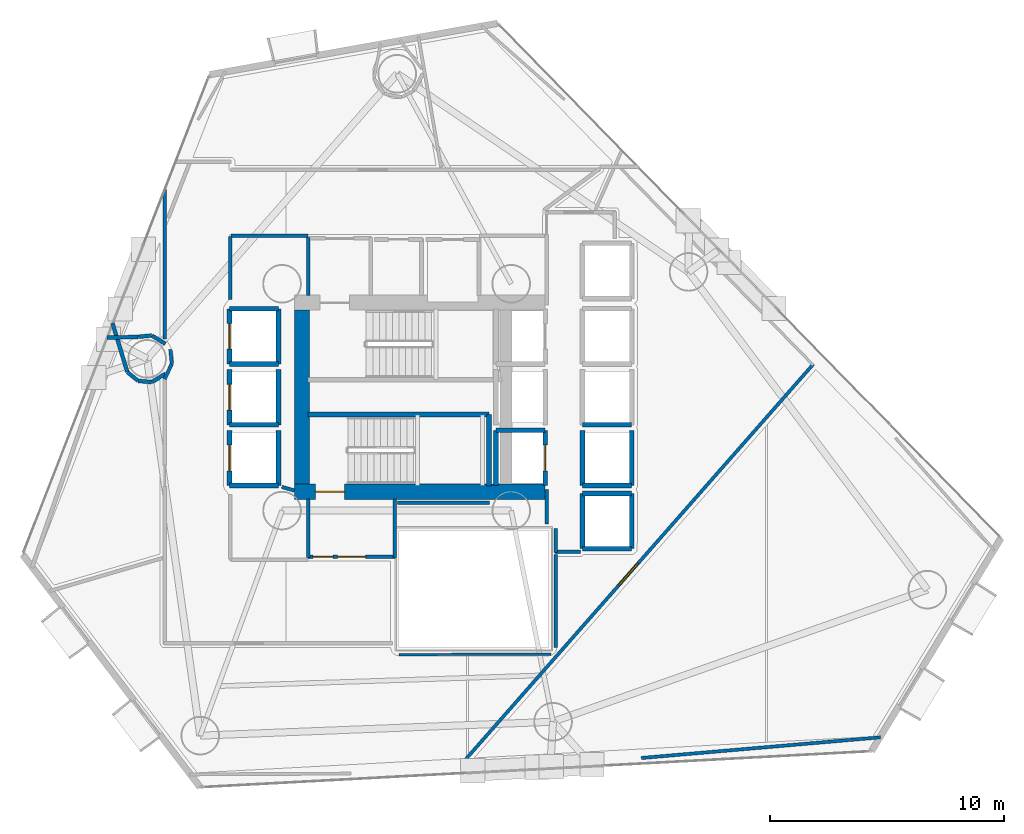
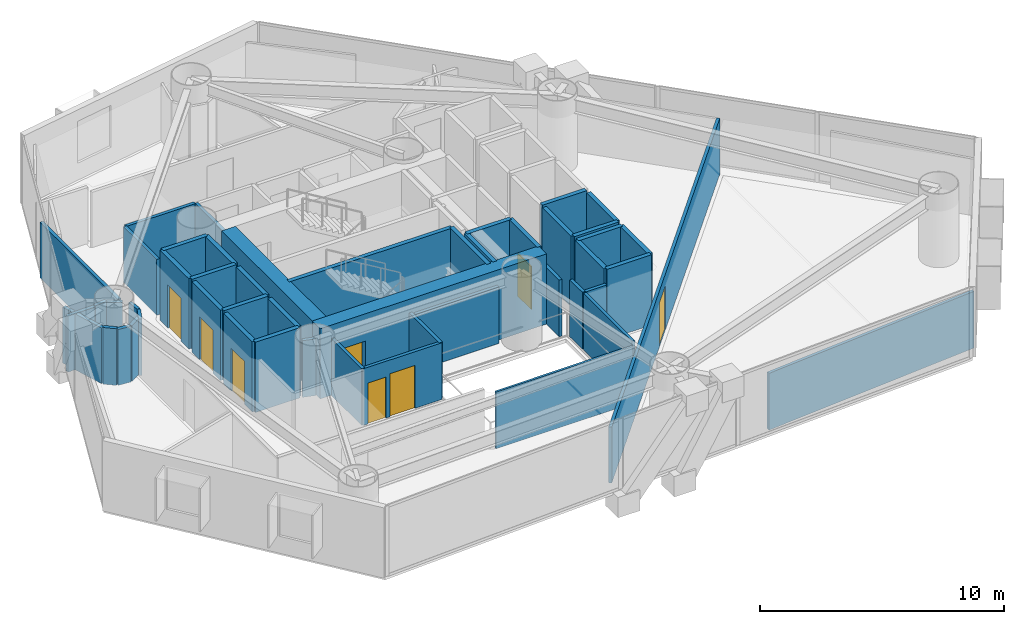
# One storey, part 16 of 23: 50 walls, 8 doors, 8 openings.
"""IFC4 building model written with IfcOpenShell, lengths in metres."""

from ifc_helpers import new_model, si_unit, direction, frame, frame_2d, origin, place, context, subcontext, project, spatial, rectangle, extrude, material, layer, layer_set, type_object, element, fill, save


model = new_model("IFC4")

# Units and contexts
model_context = context("Model", 3, precision=1e-05, world=origin(), true_north=direction((0.0, 1.0)))
body_context = subcontext(model_context, "Body", "Model", "MODEL_VIEW")
ifc_project = project(units=[si_unit("LENGTHUNIT", "METRE"), si_unit("AREAUNIT", "SQUARE_METRE"), si_unit("VOLUMEUNIT", "CUBIC_METRE"), si_unit("PLANEANGLEUNIT", "RADIAN"), si_unit("MASSUNIT", "GRAM", prefix="KILO")], contexts=[model_context])

# Site, building, storey
site_placement = place(None, origin())
site = spatial("IfcSite", under=ifc_project, at=site_placement, CompositionType="ELEMENT")
building_placement = place(site_placement, origin())
building = spatial("IfcBuilding", under=site, at=building_placement, Name="Qianvela Tower", CompositionType="ELEMENT")
storey_placement = place(building_placement, frame((0.0, 0.0, 56.199951171875)))
storey = spatial("IfcBuildingStorey", under=building, at=storey_placement, Name="L13", CompositionType="ELEMENT", Elevation=56.199951171875)

# Wall, opening, door
ifc_material_1 = material(Name="Concrete C60", Category="concrete")
ifc_layer_1 = layer(ifc_material_1, 0.64990234375)
ifc_layer_set_1 = layer_set([ifc_layer_1], Name="Concrete C60")
wall_type_1 = type_object("IfcWallType", Name="WT-CORE-650", PredefinedType="SHEAR", material=ifc_layer_set_1)
wall_1_placement = place(storey_placement, frame((29.1298828125, 24.655029296875, 0.0), z_axis=(0.0, 0.0, 1.0), x_axis=(1.0, 0.0, 0.0)))
wall_1 = element("IfcWall", 1, at=wall_1_placement, inside=storey, type_object=wall_type_1, Name="L13 South Core Shear Wall", PredefinedType="SHEAR", context=body_context, shape_type="SweptSolid", body=[
    extrude(rectangle(XDim=10.72021484375, YDim=0.64990234375, at=frame_2d((5.360107421875, 0.0))), origin(), (0.0, 0.0, 1.0), 3.52001953125),
])
opening_1_placement = place(wall_1_placement, frame((0.89501953125, 0.0, 0.0)))
opening_1 = element("IfcOpeningElement", 2, at=opening_1_placement, cuts=wall_1, Name="Opening D-ST1", PredefinedType="OPENING", context=body_context, shape_type="SweptSolid", body=[
    extrude(rectangle(XDim=1.25, YDim=2.14990234375, at=frame_2d((0.625, 1.074951171875))), frame((0.0, 0.3349609375, 0.0), z_axis=(0.0, -1.0, 0.0), x_axis=(1.0, 0.0, 0.0)), (0.0, 0.0, 1.0), 0.669921875),
])
ifc_material_2 = material(Name="Galvanised Fire Steel Q355B", Category="steel")
door_type_1 = type_object("IfcDoorType", Name="DT-STAIR-FD90", OperationType="NOTDEFINED", PredefinedType="DOOR", material=ifc_material_2)
door_1_placement = place(opening_1_placement, origin())
door_1 = element("IfcDoor", 3, at=door_1_placement, inside=storey, type_object=door_type_1, Name="L13 Stair ST-2 Exit Door", OperationType="SINGLE_SWING_LEFT", OverallHeight=2.14990234375, OverallWidth=1.25, PredefinedType="DOOR", context=body_context, shape_type="SweptSolid", body=[
    extrude(rectangle(XDim=1.25, YDim=2.14990234375, at=frame_2d((0.625, 1.074951171875))), frame((0.0, 0.02490234375, 0.0), z_axis=(0.0, -1.0, 0.0), x_axis=(1.0, 0.0, 0.0)), (0.0, 0.0, 1.0), 0.050048828125),
])
fill(opening_1, door_1)

# Walls
wall_2_placement = place(storey_placement, frame((29.455078125, 24.97998046875, 0.0), z_axis=(0.0, 0.0, 1.0), x_axis=(0.0, 1.0, 0.0)))
element("IfcWall", 4, at=wall_2_placement, inside=storey, type_object=wall_type_1, Name="L13 West Core Shear Wall", PredefinedType="SHEAR", context=body_context, shape_type="SweptSolid", body=[
    extrude(rectangle(XDim=7.43994140625, YDim=0.64990234375, at=frame_2d((3.719970703125, 0.0))), origin(), (0.0, 0.0, 1.0), 3.52001953125),
])
ifc_material_3 = material(Name="Fire-Rated Acoustic Gypsum Board")
ifc_layer_2 = layer(ifc_material_3, 0.14990234375)
ifc_layer_set_2 = layer_set([ifc_layer_2], Name="Fire-Rated Acoustic Gypsum Board")
wall_type_2 = type_object("IfcWallType", Name="WT-CORR-150", PredefinedType="PARTITIONING", material=ifc_layer_set_2)
wall_3_placement = place(storey_placement, frame((29.73095703125, 33.05810546875, 0.0), z_axis=(0.0, 0.0, 1.0), x_axis=(0.0, 1.0, 0.0)))
element("IfcWall", 5, at=wall_3_placement, inside=storey, type_object=wall_type_2, Name="L13 Partition 2", PredefinedType="PARTITIONING", context=body_context, shape_type="SweptSolid", body=[
    extrude(rectangle(XDim=2.4619140625, YDim=0.14990234375, at=frame_2d((1.23095703125, 0.0))), origin(), (0.0, 0.0, 1.0), 2.840087890625),
])

# Wall, openings, doors
wall_4_placement = place(storey_placement, frame((33.449951171875, 21.881103515625, 0.0), z_axis=(0.0, 0.0, 1.0), x_axis=(-1.0, 0.0, 0.0)))
wall_4 = element("IfcWall", 6, at=wall_4_placement, inside=storey, type_object=wall_type_2, Name="L13 Partition 5", PredefinedType="PARTITIONING", context=body_context, shape_type="SweptSolid", body=[
    extrude(rectangle(XDim=3.75, YDim=0.14990234375, at=frame_2d((1.875, 0.0))), origin(), (0.0, 0.0, 1.0), 2.840087890625),
])
opening_2_placement = place(wall_4_placement, frame((1.27490234375, 0.0, 0.0)))
opening_2 = element("IfcOpeningElement", 7, at=opening_2_placement, cuts=wall_4, Name="Opening D-LB1", PredefinedType="OPENING", context=body_context, shape_type="SweptSolid", body=[
    extrude(rectangle(XDim=1.199951171875, YDim=2.14990234375, at=frame_2d((0.60009765625, 1.074951171875))), frame((0.0, 0.0849609375, 0.0), z_axis=(0.0, -1.0, 0.0), x_axis=(1.0, 0.0, 0.0)), (0.0, 0.0, 1.0), 0.169921875),
])
opening_3_placement = place(wall_4_placement, frame((2.659912109375, 0.0, 0.0)))
opening_3 = element("IfcOpeningElement", 8, at=opening_3_placement, cuts=wall_4, Name="Opening D-LB2", PredefinedType="OPENING", context=body_context, shape_type="SweptSolid", body=[
    extrude(rectangle(XDim=0.860107421875, YDim=2.050048828125, at=frame_2d((0.43017578125, 1.02490234375))), frame((0.0, 0.0849609375, 0.0), z_axis=(0.0, -1.0, 0.0), x_axis=(1.0, 0.0, 0.0)), (0.0, 0.0, 1.0), 0.169921875),
])
ifc_material_4 = material(Name="Glazed Fire-Rated Steel Frame", Category="steel")
door_type_2 = type_object("IfcDoorType", Name="DT-LOBBY-FD90", OperationType="NOTDEFINED", PredefinedType="DOOR", material=ifc_material_4)
door_2_placement = place(opening_2_placement, origin())
door_2 = element("IfcDoor", 9, at=door_2_placement, inside=storey, type_object=door_type_2, Name="L13 Door L13 Firefighting Lobby South to L13 Floor Corridor", OperationType="SINGLE_SWING_RIGHT", OverallHeight=2.14990234375, OverallWidth=1.199951171875, PredefinedType="DOOR", context=body_context, shape_type="SweptSolid", body=[
    extrude(rectangle(XDim=1.199951171875, YDim=2.14990234375, at=frame_2d((0.60009765625, 1.074951171875))), frame((0.0, 0.02490234375, 0.0), z_axis=(0.0, -1.0, 0.0), x_axis=(1.0, 0.0, 0.0)), (0.0, 0.0, 1.0), 0.050048828125),
])
fill(opening_2, door_2)
ifc_material_5 = material(Name="Insulated Steel Fire Door Q355B", Category="steel")
door_type_3 = type_object("IfcDoorType", Name="DT-LOBBY-FD90-860", OperationType="NOTDEFINED", PredefinedType="DOOR", material=ifc_material_5)
door_3_placement = place(opening_3_placement, origin())
door_3 = element("IfcDoor", 10, at=door_3_placement, inside=storey, type_object=door_type_3, Name="L13 Door L13 Firefighting Lobby South to L13 Floor Corridor", OperationType="SINGLE_SWING_RIGHT", OverallHeight=2.050048828125, OverallWidth=0.860107421875, PredefinedType="DOOR", context=body_context, shape_type="SweptSolid", body=[
    extrude(rectangle(XDim=0.860107421875, YDim=2.050048828125, at=frame_2d((0.43017578125, 1.02490234375))), frame((0.0, 0.02490234375, 0.0), z_axis=(0.0, -1.0, 0.0), x_axis=(1.0, 0.0, 0.0)), (0.0, 0.0, 1.0), 0.050048828125),
])
fill(opening_3, door_3)

# Walls
for number, where, z_axis, x_axis, name in (
    (11, (29.73095703125, 21.85009765625, 0.0), (0.0, 0.0, 1.0), (0.0, 1.0, 0.0), "L13 Partition 6"),
    (12, (33.4189453125, 24.342041015625, 0.0), (0.0, 0.0, 1.0), (0.0, -1.0, 0.0), "L13 Partition 8"),
):
    element("IfcWall", number, at=place(storey_placement, frame(where, z_axis=z_axis, x_axis=x_axis)), inside=storey, type_object=wall_type_2, Name=name, PredefinedType="PARTITIONING", context=body_context, shape_type="SweptSolid", body=[
        extrude(rectangle(XDim=2.491943359375, YDim=0.14990234375, at=frame_2d((1.24609375, 0.0))), origin(), (0.0, 0.0, 1.0), 2.840087890625),
    ])
wall_5_placement = place(storey_placement, frame((41.360107421875, 22.0810546875, 0.0), z_axis=(0.0, 0.0, 1.0), x_axis=(-1.0, 0.0, 0.0)))
element("IfcWall", 13, at=wall_5_placement, inside=storey, type_object=wall_type_2, Name="L13 Partition 15", PredefinedType="PARTITIONING", context=body_context, shape_type="SweptSolid", body=[
    extrude(rectangle(XDim=1.080078125, YDim=0.14990234375, at=frame_2d((0.5400390625, 0.0))), origin(), (0.0, 0.0, 1.0), 2.840087890625),
])
wall_6_placement = place(storey_placement, frame((40.31103515625, 22.05029296875, 0.0), z_axis=(0.0, 0.0, 1.0), x_axis=(-0.011836292006, 0.999929948642, 0.0)))
element("IfcWall", 14, at=wall_6_placement, inside=storey, type_object=wall_type_2, Name="L13 Partition 16", PredefinedType="PARTITIONING", context=body_context, shape_type="SweptSolid", body=[
    extrude(rectangle(XDim=1.03125, YDim=0.14990234375, at=frame_2d((0.515625, 0.0))), origin(), (0.0, 0.0, 1.0), 2.840087890625),
])
wall_7_placement = place(storey_placement, frame((39.910888671875, 23.27978515625, 0.0), z_axis=(0.0, 0.0, 1.0), x_axis=(0.009397771291, 0.999955839972, 0.0)))
element("IfcWall", 15, at=wall_7_placement, inside=storey, type_object=wall_type_2, Name="L13 Partition 17", PredefinedType="PARTITIONING", context=body_context, shape_type="SweptSolid", body=[
    extrude(rectangle(XDim=1.480712890625, YDim=0.14990234375, at=frame_2d((0.740234375, 0.0))), origin(), (0.0, 0.0, 1.0), 2.840087890625),
])
wall_8_placement = place(storey_placement, frame((29.1298828125, 24.706298828125, 0.0), z_axis=(0.0, 0.0, 1.0), x_axis=(-0.960451214223, 0.278448316742, 0.0)))
element("IfcWall", 16, at=wall_8_placement, inside=storey, type_object=wall_type_2, Name="L13 Partition 31", PredefinedType="PARTITIONING", context=body_context, shape_type="SweptSolid", body=[
    extrude(rectangle(XDim=0.56201171875, YDim=0.14990234375, at=frame_2d((0.281005859375, 0.0))), origin(), (0.0, 0.0, 1.0), 2.840087890625),
])
wall_9_placement = place(storey_placement, frame((37.466552734375, 24.180908203125, 0.0), z_axis=(0.0, 0.0, 1.0), x_axis=(-1.0, 0.0, 0.0)))
element("IfcWall", 17, at=wall_9_placement, inside=storey, type_object=wall_type_2, Name="L13 Partition 38", PredefinedType="PARTITIONING", context=body_context, shape_type="SweptSolid", body=[
    extrude(rectangle(XDim=3.9365234375, YDim=0.14990234375, at=frame_2d((1.96826171875, 0.0))), origin(), (0.0, 0.0, 1.0), 2.840087890625),
])
wall_10_placement = place(storey_placement, frame((23.5810546875, 31.197265625, 0.0), z_axis=(0.0, 0.0, 1.0), x_axis=(0.0, 1.0, 0.0)))
element("IfcWall", 18, at=wall_10_placement, inside=storey, type_object=wall_type_2, Name="L13 Partition 39", PredefinedType="PARTITIONING", context=body_context, shape_type="SweptSolid", body=[
    extrude(rectangle(XDim=6.387451171875, YDim=0.14990234375, at=frame_2d((3.19384765625, 0.0))), origin(), (0.0, 0.0, 1.0), 2.798095703125),
])
wall_11_placement = place(storey_placement, frame((29.699951171875, 35.611083984375, 0.0), z_axis=(0.0, 0.0, 1.0), x_axis=(-1.0, 0.0, 0.0)))
element("IfcWall", 19, at=wall_11_placement, inside=storey, type_object=wall_type_2, Name="L13 Partition 45 seg 4", PredefinedType="PARTITIONING", context=body_context, shape_type="SweptSolid", body=[
    extrude(rectangle(XDim=3.280029296875, YDim=0.14990234375, at=frame_2d((1.64013671875, 0.0))), origin(), (0.0, 0.0, 1.0), 2.798095703125),
])
wall_12_placement = place(storey_placement, frame((26.388916015625, 35.580078125, 0.0), z_axis=(0.0, 0.0, 1.0), x_axis=(0.0, -1.0, 0.0)))
element("IfcWall", 20, at=wall_12_placement, inside=storey, type_object=wall_type_2, Name="L13 Partition 46", PredefinedType="PARTITIONING", context=body_context, shape_type="SweptSolid", body=[
    extrude(rectangle(XDim=2.71044921875, YDim=0.14990234375, at=frame_2d((1.355224609375, 0.0))), origin(), (0.0, 0.0, 1.0), 2.798095703125),
])
wall_13_placement = place(storey_placement, frame((23.578125, 29.4697265625, 0.0), z_axis=(0.0, 0.0, 1.0), x_axis=(0.421827918194, 0.906675910914, 0.0)))
element("IfcWall", 21, at=wall_13_placement, inside=storey, type_object=wall_type_2, Name="L13 Partition 52", PredefinedType="PARTITIONING", context=body_context, shape_type="SweptSolid", body=[
    extrude(rectangle(XDim=0.720458984375, YDim=0.14990234375, at=frame_2d((0.3603515625, 0.0))), origin(), (0.0, 0.0, 1.0), 2.840087890625),
])
wall_14_placement = place(storey_placement, frame((23.884765625, 30.13916015625, 0.0), z_axis=(0.0, 0.0, 1.0), x_axis=(-0.0981888168, 0.995167803064, 0.0)))
element("IfcWall", 22, at=wall_14_placement, inside=storey, type_object=wall_type_2, Name="L13 Partition 53", PredefinedType="PARTITIONING", context=body_context, shape_type="SweptSolid", body=[
    extrude(rectangle(XDim=0.606689453125, YDim=0.14990234375, at=frame_2d((0.30322265625, 0.0))), origin(), (0.0, 0.0, 1.0), 2.840087890625),
])
ifc_material_6 = material(Name="Lightweight Gypsum Room Partition")
ifc_layer_3 = layer(ifc_material_6, 0.10498046875)
ifc_layer_set_3 = layer_set([ifc_layer_3], Name="Lightweight Gypsum Room Partition")
wall_type_3 = type_object("IfcWallType", Name="WT-PART-105", PredefinedType="PARTITIONING", material=ifc_layer_set_3)
wall_15_placement = place(storey_placement, frame((33.60009765625, 17.68896484375, 0.0), z_axis=(0.0, 0.0, 1.0), x_axis=(0.99999467303, 0.003264033036, 0.0)))
element("IfcWall", 23, at=wall_15_placement, inside=storey, type_object=wall_type_3, Name="L13 Partition 54", PredefinedType="PARTITIONING", context=body_context, shape_type="SweptSolid", body=[
    extrude(rectangle(XDim=6.50732421875, YDim=0.10498046875, at=frame_2d((3.253662109375, 0.0))), origin(), (0.0, 0.0, 1.0), 2.840087890625),
])
ifc_material_7 = material(Name="Sanitary Service Chase Partition")
ifc_layer_4 = layer(ifc_material_7, 0.1650390625)
ifc_layer_set_4 = layer_set([ifc_layer_4], Name="Sanitary Service Chase Partition")
wall_type_4 = type_object("IfcWallType", Name="WT-PLUMB-165", PredefinedType="PLUMBINGWALL", material=ifc_layer_set_4)
wall_16_placement = place(storey_placement, frame((23.6083984375, 30.981689453125, 0.0), z_axis=(0.0, 0.0, 1.0), x_axis=(-0.852045812822, 0.523467222328, 0.0)))
element("IfcWall", 24, at=wall_16_placement, inside=storey, type_object=wall_type_4, Name="L13 Partition 98", PredefinedType="PLUMBINGWALL", context=body_context, shape_type="SweptSolid", body=[
    extrude(rectangle(XDim=0.670166015625, YDim=0.1650390625, at=frame_2d((0.3349609375, 0.0))), origin(), (0.0, 0.0, 1.0), 2.798095703125),
])
wall_17_placement = place(storey_placement, frame((23.01806640625, 31.3369140625, 0.0), z_axis=(0.0, 0.0, 1.0), x_axis=(-0.995208995167, -0.097770424665, 0.0)))
element("IfcWall", 25, at=wall_17_placement, inside=storey, type_object=wall_type_4, Name="L13 Partition 99", PredefinedType="PLUMBINGWALL", context=body_context, shape_type="SweptSolid", body=[
    extrude(rectangle(XDim=0.57177734375, YDim=0.1650390625, at=frame_2d((0.285888671875, 0.0))), origin(), (0.0, 0.0, 1.0), 2.840087890625),
])
wall_18_placement = place(storey_placement, frame((22.432373046875, 31.27392578125, 0.0), z_axis=(0.0, 0.0, 1.0), x_axis=(-0.999826656126, -0.018618745924, 0.0)))
element("IfcWall", 26, at=wall_18_placement, inside=storey, type_object=wall_type_4, Name="L13 Partition 100 seg 1", PredefinedType="PLUMBINGWALL", context=body_context, shape_type="SweptSolid", body=[
    extrude(rectangle(XDim=1.311279296875, YDim=0.1650390625, at=frame_2d((0.65576171875, 0.0))), origin(), (0.0, 0.0, 1.0), 2.798095703125),
])
wall_19_placement = place(storey_placement, frame((21.348388671875, 31.86669921875, 0.0), z_axis=(0.0, 0.0, 1.0), x_axis=(0.290268869928, -0.95694513069, 0.0)))
element("IfcWall", 27, at=wall_19_placement, inside=storey, type_object=wall_type_4, Name="L13 Partition 102", PredefinedType="PLUMBINGWALL", context=body_context, shape_type="SweptSolid", body=[
    extrude(rectangle(XDim=2.1767578125, YDim=0.1650390625, at=frame_2d((1.08837890625, 0.0))), origin(), (0.0, 0.0, 1.0), 2.798095703125),
])
wall_20_placement = place(storey_placement, frame((21.990234375, 29.768798828125, 0.0), z_axis=(0.0, 0.0, 1.0), x_axis=(0.773062635709, -0.634329694458, 0.0)))
element("IfcWall", 28, at=wall_20_placement, inside=storey, type_object=wall_type_4, Name="L13 Partition 103", PredefinedType="PLUMBINGWALL", context=body_context, shape_type="SweptSolid", body=[
    extrude(rectangle(XDim=0.572021484375, YDim=0.1650390625, at=frame_2d((0.2861328125, 0.0))), origin(), (0.0, 0.0, 1.0), 2.840087890625),
])
wall_21_placement = place(storey_placement, frame((22.448974609375, 29.399169921875, 0.0), z_axis=(0.0, 0.0, 1.0), x_axis=(0.995167364461, -0.098193262045, 0.0)))
element("IfcWall", 29, at=wall_21_placement, inside=storey, type_object=wall_type_4, Name="L13 Partition 104", PredefinedType="PLUMBINGWALL", context=body_context, shape_type="SweptSolid", body=[
    extrude(rectangle(XDim=0.57177734375, YDim=0.1650390625, at=frame_2d((0.285888671875, 0.0))), origin(), (0.0, 0.0, 1.0), 2.798095703125),
])
wall_22_placement = place(storey_placement, frame((23.03759765625, 29.34765625, 0.0), z_axis=(0.0, 0.0, 1.0), x_axis=(0.850157603054, 0.526528299306, 0.0)))
element("IfcWall", 30, at=wall_22_placement, inside=storey, type_object=wall_type_4, Name="L13 Partition 105", PredefinedType="PLUMBINGWALL", context=body_context, shape_type="SweptSolid", body=[
    extrude(rectangle(XDim=0.677490234375, YDim=0.1650390625, at=frame_2d((0.3388671875, 0.0))), origin(), (0.0, 0.0, 1.0), 2.798095703125),
])
ifc_material_8 = material(Name="Acoustic Double Gypsum Stud Partition")
ifc_layer_5 = layer(ifc_material_8, 0.139892578125)
ifc_layer_set_5 = layer_set([ifc_layer_5], Name="Acoustic Double Gypsum Stud Partition")
wall_type_5 = type_object("IfcWallType", Name="WT-ROOM-140", PredefinedType="PARTITIONING", material=ifc_layer_set_5)
wall_23_placement = place(storey_placement, frame((40.31103515625, 18.0, 0.0), z_axis=(0.0, 0.0, 1.0), x_axis=(0.0, 1.0, 0.0)))
element("IfcWall", 31, at=wall_23_placement, inside=storey, type_object=wall_type_5, Name="L13 Partition 55 seg 1", PredefinedType="PARTITIONING", context=body_context, shape_type="SweptSolid", body=[
    extrude(rectangle(XDim=3.969970703125, YDim=0.139892578125, at=frame_2d((1.98486328125, 0.0))), origin(), (0.0, 0.0, 1.0), 2.840087890625),
])

# Wall, opening, door
wall_24_placement = place(storey_placement, frame((51.318603515625, 30.110107421875, 0.0), z_axis=(0.0, 0.0, 1.0), x_axis=(-0.660511140623, -0.750816244572, 0.0)))
wall_24 = element("IfcWall", 32, at=wall_24_placement, inside=storey, type_object=wall_type_5, Name="L13 Partition 67", PredefinedType="PARTITIONING", context=body_context, shape_type="SweptSolid", body=[
    extrude(rectangle(XDim=22.53369140625, YDim=0.139892578125, at=frame_2d((11.266845703125, 0.0))), origin(), (0.0, 0.0, 1.0), 2.798095703125),
])
opening_4_placement = place(wall_24_placement, frame((11.341796875, 0.0, 0.0)))
opening_4 = element("IfcOpeningElement", 33, at=opening_4_placement, cuts=wall_24, Name="Opening D-LG1", PredefinedType="OPENING", context=body_context, shape_type="SweptSolid", body=[
    extrude(rectangle(XDim=1.25, YDim=2.199951171875, at=frame_2d((0.625, 1.10009765625))), frame((0.0, 0.079833984375, 0.0), z_axis=(0.0, -1.0, 0.0), x_axis=(1.0, 0.0, 0.0)), (0.0, 0.0, 1.0), 0.159912109375),
])
ifc_material_9 = material(Name="Anodised Aluminium Acoustic Glass Door", Category="aluminium")
door_type_4 = type_object("IfcDoorType", Name="DT-LOUNGE-1250", OperationType="NOTDEFINED", PredefinedType="DOOR", material=ifc_material_9)
door_4_placement = place(opening_4_placement, origin())
door_4 = element("IfcDoor", 34, at=door_4_placement, inside=storey, type_object=door_type_4, Name="L13 Door Media Practice Cinema L13-01B to Student Reading Library L13-01A", OperationType="SINGLE_SWING_RIGHT", OverallHeight=2.199951171875, OverallWidth=1.25, PredefinedType="DOOR", context=body_context, shape_type="SweptSolid", body=[
    extrude(rectangle(XDim=1.25, YDim=2.199951171875, at=frame_2d((0.625, 1.10009765625))), frame((0.0, 0.02490234375, 0.0), z_axis=(0.0, -1.0, 0.0), x_axis=(1.0, 0.0, 0.0)), (0.0, 0.0, 1.0), 0.050048828125),
])
fill(opening_4, door_4)

# Walls
wall_25_placement = place(storey_placement, frame((54.1923828125, 14.15380859375, 0.0), z_axis=(0.0, 0.0, 1.0), x_axis=(-0.99627468077, -0.086236653791, 0.0)))
element("IfcWall", 35, at=wall_25_placement, inside=storey, type_object=wall_type_5, Name="L13 Partition 73 seg 1", PredefinedType="PARTITIONING", context=body_context, shape_type="SweptSolid", body=[
    extrude(rectangle(XDim=10.268310546875, YDim=0.139892578125, at=frame_2d((5.13427734375, 0.0))), origin(), (0.0, 0.0, 1.0), 2.840087890625),
])
ifc_material_10 = material(Name="Concrete C50", Category="concrete")
ifc_layer_6 = layer(ifc_material_10, 0.199951171875)
ifc_layer_set_6 = layer_set([ifc_layer_6], Name="Concrete C50")
wall_type_6 = type_object("IfcWallType", Name="WT-SHAFT-200", PredefinedType="SOLIDWALL", material=ifc_layer_set_6)
wall_26_placement = place(storey_placement, frame((29.699951171875, 27.9599609375, 0.0), z_axis=(0.0, 0.0, 1.0), x_axis=(1.0, 0.0, 0.0)))
element("IfcWall", 36, at=wall_26_placement, inside=storey, type_object=wall_type_6, Name="L13 Stair ST-2 North Wall", PredefinedType="SOLIDWALL", context=body_context, shape_type="SweptSolid", body=[
    extrude(rectangle(XDim=7.75, YDim=0.199951171875, at=frame_2d((3.875, 0.0))), origin(), (0.0, 0.0, 1.0), 3.52001953125),
])
wall_27_placement = place(storey_placement, frame((37.449951171875, 24.89990234375, 0.0), z_axis=(0.0, 0.0, 1.0), x_axis=(0.0, 1.0, 0.0)))
element("IfcWall", 37, at=wall_27_placement, inside=storey, type_object=wall_type_6, Name="L13 Stair ST-2 East Wall", PredefinedType="SOLIDWALL", context=body_context, shape_type="SweptSolid", body=[
    extrude(rectangle(XDim=3.06005859375, YDim=0.199951171875, at=frame_2d((1.530029296875, 0.0))), origin(), (0.0, 0.0, 1.0), 3.52001953125),
])

# Wall, opening, door
wall_28_placement = place(storey_placement, frame((39.85009765625, 24.919921875, 0.0), z_axis=(0.0, 0.0, 1.0), x_axis=(0.0, 1.0, 0.0)))
wall_28 = element("IfcWall", 38, at=wall_28_placement, inside=storey, type_object=wall_type_6, Name="L13 Lift FL-2 E Shaft Wall", PredefinedType="SOLIDWALL", context=body_context, shape_type="SweptSolid", body=[
    extrude(rectangle(XDim=2.360107421875, YDim=0.199951171875, at=frame_2d((1.18017578125, 0.0))), origin(), (0.0, 0.0, 1.0), 3.52001953125),
])
opening_5_placement = place(wall_28_placement, frame((0.6298828125, 0.0, 0.0)))
opening_5 = element("IfcOpeningElement", 39, at=opening_5_placement, cuts=wall_28, Name="Opening LD-01", PredefinedType="OPENING", context=body_context, shape_type="SweptSolid", body=[
    extrude(rectangle(XDim=1.10009765625, YDim=2.14990234375, at=frame_2d((0.550048828125, 1.074951171875))), frame((0.0, 0.10986328125, 0.0), z_axis=(0.0, -1.0, 0.0), x_axis=(1.0, 0.0, 0.0)), (0.0, 0.0, 1.0), 0.219970703125),
])
ifc_material_11 = material(Name="Brushed Stainless Steel Lift Landing Door", Category="steel")
door_type_5 = type_object("IfcDoorType", Name="DT-LIFT-SLIDE-1100", OperationType="SLIDING_TO_LEFT", PredefinedType="DOOR", material=ifc_material_11)
door_5_placement = place(opening_5_placement, origin())
door_5 = element("IfcDoor", 40, at=door_5_placement, inside=storey, type_object=door_type_5, Name="L13 Lift FL-2 Sliding Landing Door", OperationType="SLIDING_TO_LEFT", OverallHeight=2.14990234375, OverallWidth=1.10009765625, PredefinedType="DOOR", context=body_context, shape_type="SweptSolid", body=[
    extrude(rectangle(XDim=1.10009765625, YDim=2.14990234375, at=frame_2d((0.550048828125, 1.074951171875))), frame((0.0, 0.02490234375, 0.0), z_axis=(0.0, -1.0, 0.0), x_axis=(1.0, 0.0, 0.0)), (0.0, 0.0, 1.0), 0.050048828125),
])
fill(opening_5, door_5)

# Walls
wall_29_placement = place(storey_placement, frame((37.75, 24.919921875, 0.0), z_axis=(0.0, 0.0, 1.0), x_axis=(0.0, 1.0, 0.0)))
element("IfcWall", 41, at=wall_29_placement, inside=storey, type_object=wall_type_6, Name="L13 Lift FL-2 W Shaft Wall", PredefinedType="SOLIDWALL", context=body_context, shape_type="SweptSolid", body=[
    extrude(rectangle(XDim=2.360107421875, YDim=0.199951171875, at=frame_2d((1.18017578125, 0.0))), origin(), (0.0, 0.0, 1.0), 3.52001953125),
])
wall_30_placement = place(storey_placement, frame((37.75, 27.280029296875, 0.0), z_axis=(0.0, 0.0, 1.0), x_axis=(1.0, 0.0, 0.0)))
element("IfcWall", 42, at=wall_30_placement, inside=storey, type_object=wall_type_6, Name="L13 Lift FL-2 N Shaft Wall", PredefinedType="SOLIDWALL", context=body_context, shape_type="SweptSolid", body=[
    extrude(rectangle(XDim=2.10009765625, YDim=0.199951171875, at=frame_2d((1.050048828125, 0.0))), origin(), (0.0, 0.0, 1.0), 3.52001953125),
])
wall_31_placement = place(storey_placement, frame((28.449951171875, 30.1201171875, 0.0), z_axis=(0.0, 0.0, 1.0), x_axis=(0.0, 1.0, 0.0)))
element("IfcWall", 43, at=wall_31_placement, inside=storey, type_object=wall_type_6, Name="L13 Lift PL-L1 E Shaft Wall", PredefinedType="SOLIDWALL", context=body_context, shape_type="SweptSolid", body=[
    extrude(rectangle(XDim=2.35986328125, YDim=0.199951171875, at=frame_2d((1.179931640625, 0.0))), origin(), (0.0, 0.0, 1.0), 3.52001953125),
])

# Wall, opening, door
wall_32_placement = place(storey_placement, frame((26.35009765625, 30.1201171875, 0.0), z_axis=(0.0, 0.0, 1.0), x_axis=(0.0, 1.0, 0.0)))
wall_32 = element("IfcWall", 44, at=wall_32_placement, inside=storey, type_object=wall_type_6, Name="L13 Lift PL-L1 W Shaft Wall", PredefinedType="SOLIDWALL", context=body_context, shape_type="SweptSolid", body=[
    extrude(rectangle(XDim=2.35986328125, YDim=0.199951171875, at=frame_2d((1.179931640625, 0.0))), origin(), (0.0, 0.0, 1.0), 3.52001953125),
])
opening_6_placement = place(wall_32_placement, frame((0.6298828125, 0.0, 0.0)))
opening_6 = element("IfcOpeningElement", 45, at=opening_6_placement, cuts=wall_32, Name="Opening LD-01", PredefinedType="OPENING", context=body_context, shape_type="SweptSolid", body=[
    extrude(rectangle(XDim=1.10009765625, YDim=2.14990234375, at=frame_2d((0.550048828125, 1.074951171875))), frame((0.0, 0.10986328125, 0.0), z_axis=(0.0, -1.0, 0.0), x_axis=(1.0, 0.0, 0.0)), (0.0, 0.0, 1.0), 0.219970703125),
])
door_6_placement = place(opening_6_placement, origin())
door_6 = element("IfcDoor", 46, at=door_6_placement, inside=storey, type_object=door_type_5, Name="L13 Lift PL-L1 Sliding Landing Door", OperationType="SLIDING_TO_LEFT", OverallHeight=2.14990234375, OverallWidth=1.10009765625, PredefinedType="DOOR", context=body_context, shape_type="SweptSolid", body=[
    extrude(rectangle(XDim=1.10009765625, YDim=2.14990234375, at=frame_2d((0.550048828125, 1.074951171875))), frame((0.0, 0.02490234375, 0.0), z_axis=(0.0, -1.0, 0.0), x_axis=(1.0, 0.0, 0.0)), (0.0, 0.0, 1.0), 0.050048828125),
])
fill(opening_6, door_6)

# Walls
for number, where, z_axis, x_axis, name in (
    (47, (26.35009765625, 32.47998046875, 0.0), (0.0, 0.0, 1.0), (1.0, 0.0, 0.0), "L13 Lift PL-L1 N Shaft Wall"),
    (48, (26.35009765625, 30.1201171875, 0.0), (0.0, 0.0, 1.0), (1.0, 0.0, 0.0), "L13 Lift PL-L1 S Shaft Wall"),
):
    element("IfcWall", number, at=place(storey_placement, frame(where, z_axis=z_axis, x_axis=x_axis)), inside=storey, type_object=wall_type_6, Name=name, PredefinedType="SOLIDWALL", context=body_context, shape_type="SweptSolid", body=[
        extrude(rectangle(XDim=2.099853515625, YDim=0.199951171875, at=frame_2d((1.0498046875, 0.0))), origin(), (0.0, 0.0, 1.0), 3.52001953125),
    ])
wall_33_placement = place(storey_placement, frame((28.449951171875, 27.52001953125, 0.0), z_axis=(0.0, 0.0, 1.0), x_axis=(0.0, 1.0, 0.0)))
element("IfcWall", 49, at=wall_33_placement, inside=storey, type_object=wall_type_6, Name="L13 Lift PL-L2 E Shaft Wall", PredefinedType="SOLIDWALL", context=body_context, shape_type="SweptSolid", body=[
    extrude(rectangle(XDim=2.35986328125, YDim=0.199951171875, at=frame_2d((1.179931640625, 0.0))), origin(), (0.0, 0.0, 1.0), 3.52001953125),
])

# Wall, opening, door
wall_34_placement = place(storey_placement, frame((26.35009765625, 27.52001953125, 0.0), z_axis=(0.0, 0.0, 1.0), x_axis=(0.0, 1.0, 0.0)))
wall_34 = element("IfcWall", 50, at=wall_34_placement, inside=storey, type_object=wall_type_6, Name="L13 Lift PL-L2 W Shaft Wall", PredefinedType="SOLIDWALL", context=body_context, shape_type="SweptSolid", body=[
    extrude(rectangle(XDim=2.35986328125, YDim=0.199951171875, at=frame_2d((1.179931640625, 0.0))), origin(), (0.0, 0.0, 1.0), 3.52001953125),
])
opening_7_placement = place(wall_34_placement, frame((0.6298828125, 0.0, 0.0)))
opening_7 = element("IfcOpeningElement", 51, at=opening_7_placement, cuts=wall_34, Name="Opening LD-01", PredefinedType="OPENING", context=body_context, shape_type="SweptSolid", body=[
    extrude(rectangle(XDim=1.10009765625, YDim=2.14990234375, at=frame_2d((0.550048828125, 1.074951171875))), frame((0.0, 0.10986328125, 0.0), z_axis=(0.0, -1.0, 0.0), x_axis=(1.0, 0.0, 0.0)), (0.0, 0.0, 1.0), 0.219970703125),
])
door_7_placement = place(opening_7_placement, origin())
door_7 = element("IfcDoor", 52, at=door_7_placement, inside=storey, type_object=door_type_5, Name="L13 Lift PL-L2 Sliding Landing Door", OperationType="SLIDING_TO_LEFT", OverallHeight=2.14990234375, OverallWidth=1.10009765625, PredefinedType="DOOR", context=body_context, shape_type="SweptSolid", body=[
    extrude(rectangle(XDim=1.10009765625, YDim=2.14990234375, at=frame_2d((0.550048828125, 1.074951171875))), frame((0.0, 0.02490234375, 0.0), z_axis=(0.0, -1.0, 0.0), x_axis=(1.0, 0.0, 0.0)), (0.0, 0.0, 1.0), 0.050048828125),
])
fill(opening_7, door_7)

# Walls
wall_35_placement = place(storey_placement, frame((26.35009765625, 27.52001953125, 0.0), z_axis=(0.0, 0.0, 1.0), x_axis=(1.0, 0.0, 0.0)))
element("IfcWall", 53, at=wall_35_placement, inside=storey, type_object=wall_type_6, Name="L13 Lift PL-L2 S Shaft Wall", PredefinedType="SOLIDWALL", context=body_context, shape_type="SweptSolid", body=[
    extrude(rectangle(XDim=2.099853515625, YDim=0.199951171875, at=frame_2d((1.0498046875, 0.0))), origin(), (0.0, 0.0, 1.0), 3.52001953125),
])
wall_36_placement = place(storey_placement, frame((28.449951171875, 24.919921875, 0.0), z_axis=(0.0, 0.0, 1.0), x_axis=(0.0, 1.0, 0.0)))
element("IfcWall", 54, at=wall_36_placement, inside=storey, type_object=wall_type_6, Name="L13 Lift PL-L3 E Shaft Wall", PredefinedType="SOLIDWALL", context=body_context, shape_type="SweptSolid", body=[
    extrude(rectangle(XDim=2.360107421875, YDim=0.199951171875, at=frame_2d((1.18017578125, 0.0))), origin(), (0.0, 0.0, 1.0), 3.52001953125),
])

# Wall, opening, door
wall_37_placement = place(storey_placement, frame((26.35009765625, 24.919921875, 0.0), z_axis=(0.0, 0.0, 1.0), x_axis=(0.0, 1.0, 0.0)))
wall_37 = element("IfcWall", 55, at=wall_37_placement, inside=storey, type_object=wall_type_6, Name="L13 Lift PL-L3 W Shaft Wall", PredefinedType="SOLIDWALL", context=body_context, shape_type="SweptSolid", body=[
    extrude(rectangle(XDim=2.360107421875, YDim=0.199951171875, at=frame_2d((1.18017578125, 0.0))), origin(), (0.0, 0.0, 1.0), 3.52001953125),
])
opening_8_placement = place(wall_37_placement, frame((0.6298828125, 0.0, 0.0)))
opening_8 = element("IfcOpeningElement", 56, at=opening_8_placement, cuts=wall_37, Name="Opening LD-01", PredefinedType="OPENING", context=body_context, shape_type="SweptSolid", body=[
    extrude(rectangle(XDim=1.10009765625, YDim=2.14990234375, at=frame_2d((0.550048828125, 1.074951171875))), frame((0.0, 0.10986328125, 0.0), z_axis=(0.0, -1.0, 0.0), x_axis=(1.0, 0.0, 0.0)), (0.0, 0.0, 1.0), 0.219970703125),
])
door_8_placement = place(opening_8_placement, origin())
door_8 = element("IfcDoor", 57, at=door_8_placement, inside=storey, type_object=door_type_5, Name="L13 Lift PL-L3 Sliding Landing Door", OperationType="SLIDING_TO_LEFT", OverallHeight=2.14990234375, OverallWidth=1.10009765625, PredefinedType="DOOR", context=body_context, shape_type="SweptSolid", body=[
    extrude(rectangle(XDim=1.10009765625, YDim=2.14990234375, at=frame_2d((0.550048828125, 1.074951171875))), frame((0.0, 0.02490234375, 0.0), z_axis=(0.0, -1.0, 0.0), x_axis=(1.0, 0.0, 0.0)), (0.0, 0.0, 1.0), 0.050048828125),
])
fill(opening_8, door_8)

# Walls
wall_38_placement = place(storey_placement, frame((26.35009765625, 24.919921875, 0.0), z_axis=(0.0, 0.0, 1.0), x_axis=(1.0, 0.0, 0.0)))
element("IfcWall", 58, at=wall_38_placement, inside=storey, type_object=wall_type_6, Name="L13 Lift PL-L3 S Shaft Wall", PredefinedType="SOLIDWALL", context=body_context, shape_type="SweptSolid", body=[
    extrude(rectangle(XDim=2.099853515625, YDim=0.199951171875, at=frame_2d((1.0498046875, 0.0))), origin(), (0.0, 0.0, 1.0), 3.52001953125),
])
wall_39_placement = place(storey_placement, frame((41.449951171875, 27.52001953125, 0.0), z_axis=(0.0, 0.0, 1.0), x_axis=(1.0, 0.0, 0.0)))
element("IfcWall", 59, at=wall_39_placement, inside=storey, type_object=wall_type_6, Name="L13 Lift PL-M2 S Shaft Wall", PredefinedType="SOLIDWALL", context=body_context, shape_type="SweptSolid", body=[
    extrude(rectangle(XDim=2.10009765625, YDim=0.199951171875, at=frame_2d((1.050048828125, 0.0))), origin(), (0.0, 0.0, 1.0), 3.52001953125),
])
for number, where, z_axis, x_axis, name in (
    (60, (43.550048828125, 24.919921875, 0.0), (0.0, 0.0, 1.0), (0.0, 1.0, 0.0), "L13 Lift PL-M3 E Shaft Wall"),
    (61, (41.449951171875, 24.919921875, 0.0), (0.0, 0.0, 1.0), (0.0, 1.0, 0.0), "L13 Lift PL-M3 W Shaft Wall"),
):
    element("IfcWall", number, at=place(storey_placement, frame(where, z_axis=z_axis, x_axis=x_axis)), inside=storey, type_object=wall_type_6, Name=name, PredefinedType="SOLIDWALL", context=body_context, shape_type="SweptSolid", body=[
        extrude(rectangle(XDim=2.360107421875, YDim=0.199951171875, at=frame_2d((1.18017578125, 0.0))), origin(), (0.0, 0.0, 1.0), 3.52001953125),
    ])
wall_40_placement = place(storey_placement, frame((41.449951171875, 24.919921875, 0.0), z_axis=(0.0, 0.0, 1.0), x_axis=(1.0, 0.0, 0.0)))
element("IfcWall", 62, at=wall_40_placement, inside=storey, type_object=wall_type_6, Name="L13 Lift PL-M3 S Shaft Wall", PredefinedType="SOLIDWALL", context=body_context, shape_type="SweptSolid", body=[
    extrude(rectangle(XDim=2.10009765625, YDim=0.199951171875, at=frame_2d((1.050048828125, 0.0))), origin(), (0.0, 0.0, 1.0), 3.52001953125),
])
for number, where, z_axis, x_axis, name in (
    (63, (43.550048828125, 22.219970703125, 0.0), (0.0, 0.0, 1.0), (0.0, 1.0, 0.0), "L13 Lift PL-H2 E Shaft Wall"),
    (64, (41.449951171875, 22.219970703125, 0.0), (0.0, 0.0, 1.0), (0.0, 1.0, 0.0), "L13 Lift PL-H2 W Shaft Wall"),
):
    element("IfcWall", number, at=place(storey_placement, frame(where, z_axis=z_axis, x_axis=x_axis)), inside=storey, type_object=wall_type_6, Name=name, PredefinedType="SOLIDWALL", context=body_context, shape_type="SweptSolid", body=[
        extrude(rectangle(XDim=2.360107421875, YDim=0.199951171875, at=frame_2d((1.18017578125, 0.0))), origin(), (0.0, 0.0, 1.0), 3.52001953125),
    ])
for number, where, z_axis, x_axis, name in (
    (65, (41.449951171875, 24.580078125, 0.0), (0.0, 0.0, 1.0), (1.0, 0.0, 0.0), "L13 Lift PL-H2 N Shaft Wall"),
    (66, (41.449951171875, 22.219970703125, 0.0), (0.0, 0.0, 1.0), (1.0, 0.0, 0.0), "L13 Lift PL-H2 S Shaft Wall"),
):
    element("IfcWall", number, at=place(storey_placement, frame(where, z_axis=z_axis, x_axis=x_axis)), inside=storey, type_object=wall_type_6, Name=name, PredefinedType="SOLIDWALL", context=body_context, shape_type="SweptSolid", body=[
        extrude(rectangle(XDim=2.10009765625, YDim=0.199951171875, at=frame_2d((1.050048828125, 0.0))), origin(), (0.0, 0.0, 1.0), 3.52001953125),
    ])

save(model, "model.ifc")
